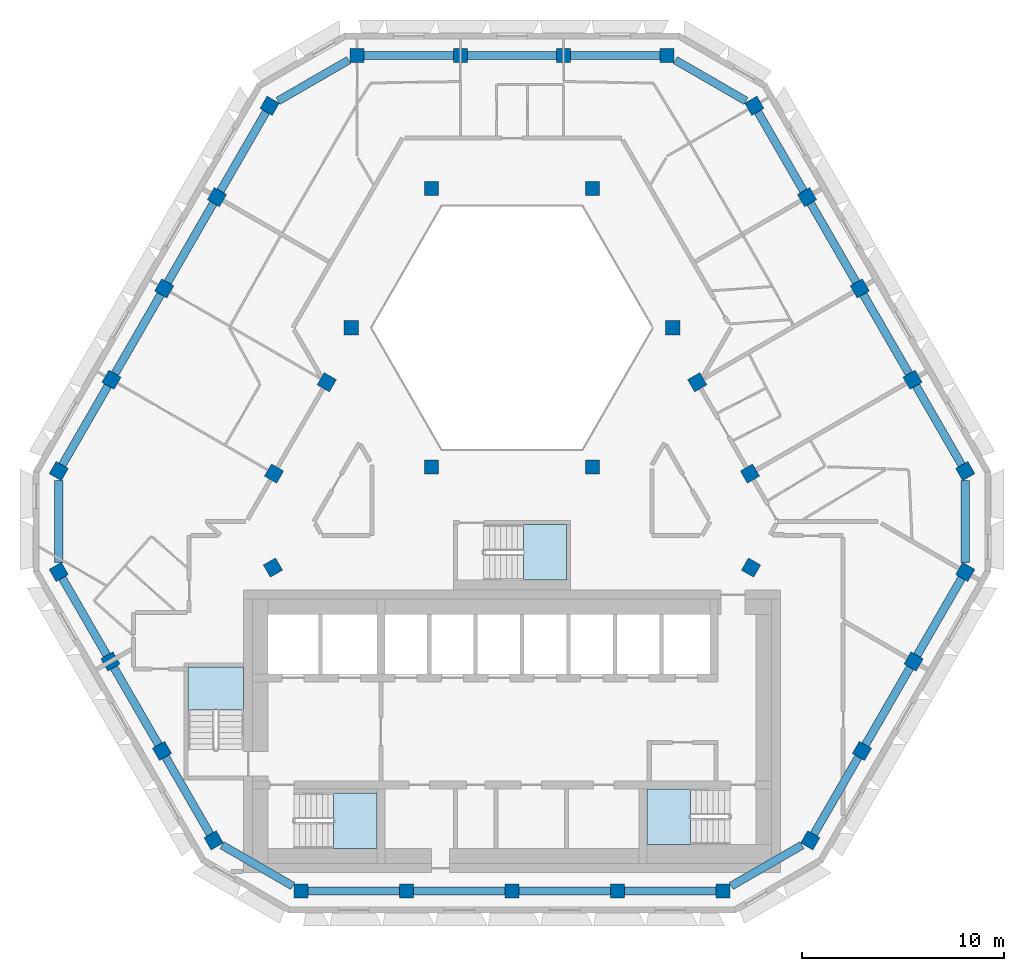
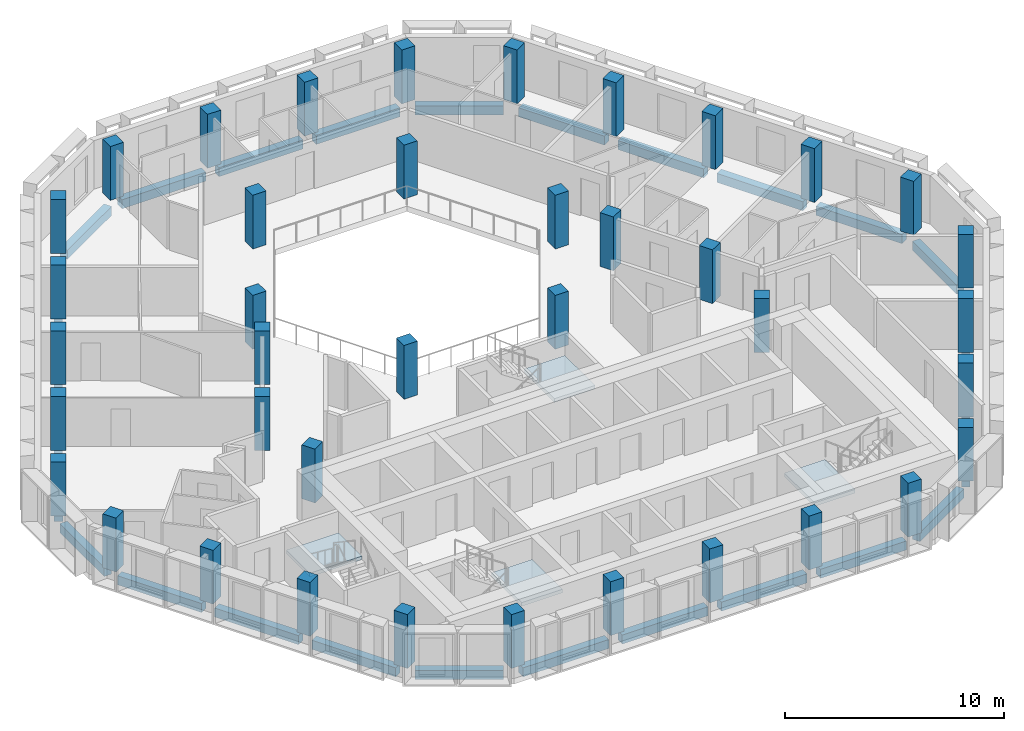
# One storey, part 1 of 14: 39 columns, 27 beams, 4 slabs, 4 elements without a shape of their own.
"""IFC4 building model written with IfcOpenShell, lengths in metres."""

from ifc_helpers import new_model, si_unit, direction, frame, origin, origin_2d, place, context, subcontext, project, spatial, polyline, rectangle, outline, extrude, material, layer, layer_set, material_profile, profile_set, type_object, element, aggregate, save


model = new_model("IFC4")

# Units and contexts
model_context = context("Model", 3, precision=1e-05, world=origin(), true_north=direction((0.0, 1.0)))
body_context = subcontext(model_context, "Body", "Model", "MODEL_VIEW")
ifc_project = project(units=[si_unit("LENGTHUNIT", "METRE"), si_unit("AREAUNIT", "SQUARE_METRE"), si_unit("VOLUMEUNIT", "CUBIC_METRE"), si_unit("PLANEANGLEUNIT", "RADIAN"), si_unit("MASSUNIT", "GRAM", prefix="KILO")], contexts=[model_context])

# Site, building, storey
site_placement = place(None, origin())
site = spatial("IfcSite", under=ifc_project, at=site_placement, CompositionType="ELEMENT")
building_placement = place(site_placement, origin())
building = spatial("IfcBuilding", under=site, at=building_placement, Name="Beryl Residences", CompositionType="ELEMENT")
storey_placement = place(building_placement, frame((0.0, 0.0, 223.800048828125)))
storey = spatial("IfcBuildingStorey", under=building, at=storey_placement, Name="L69", CompositionType="ELEMENT", Elevation=223.800048828125)

# Columns
ifc_material_1 = material(Name="Concrete C50/60", Category="concrete")
ifc_material_profile_1 = material_profile(ifc_material_1, rectangle(XDim=0.699951171875, YDim=0.699951171875, at=origin_2d()))
ifc_profile_set_1 = profile_set([ifc_material_profile_1], Name="Concrete C50/60")
column_type_1 = type_object("IfcColumnType", Name="C5 tube column 700 x 700 C50/60", PredefinedType="COLUMN", material=ifc_profile_set_1)
for number, where, z_axis, x_axis, name in (
    (1, (7.678955078125, 21.5, 0.0), (0.0, 0.0, 1.0), (-1.0, 0.0, 0.0), "C5-N1 L69"),
    (2, (2.56005859375, 21.5, 0.0), (0.0, 0.0, 1.0), (-1.0, 0.0, 0.0), "C5-N2 L69"),
    (3, (-2.55908203125, 21.5, 0.0), (0.0, 0.0, 1.0), (-1.0, 0.0, 0.0), "C5-N3 L69"),
    (4, (-7.677978515625, 21.5, 0.0), (0.0, 0.0, 1.0), (-1.0, 0.0, 0.0), "C5-N4 L69"),
    (5, (-12.009033203125, 19.0, 0.0), (0.0, 0.0, 1.0), (-0.499969769706, -0.866042856549, 0.0), "C5-NW1 L69"),
    (6, (-14.62109375, 14.47509765625, 0.0), (0.0, 0.0, 1.0), (-0.499969769706, -0.866042856549, 0.0), "C5-NW2 L69"),
    (7, (-17.23291015625, 9.949951171875, 0.0), (0.0, 0.0, 1.0), (-0.499969769706, -0.866042856549, 0.0), "C5-NW3 L69"),
    (8, (-19.845947265625, 5.425048828125, 0.0), (0.0, 0.0, 1.0), (-0.499969769706, -0.866042856549, 0.0), "C5-NW4 L69"),
    (9, (-22.4580078125, 0.89990234375, 0.0), (0.0, 0.0, 1.0), (-0.499969769706, -0.866042856549, 0.0), "C5-NW5 L69"),
    (10, (-22.458984375, -4.10009765625, 0.0), (0.0, 0.0, 1.0), (0.499984884929, -0.866034130299, 0.0), "C5-SW1 L69"),
    (11, (-19.89892578125, -8.532958984375, 0.0), (0.0, 0.0, 1.0), (0.499984884929, -0.866034130299, 0.0), "C5-SW2 L69"),
    (12, (-17.340087890625, -12.966064453125, 0.0), (0.0, 0.0, 1.0), (0.499984884929, -0.866034130299, 0.0), "C5-SW3 L69"),
    (13, (-14.781005859375, -17.39892578125, 0.0), (0.0, 0.0, 1.0), (0.499984884929, -0.866034130299, 0.0), "C5-SW4 L69"),
    (14, (-10.449951171875, -19.89990234375, 0.0), (0.0, 0.0, 1.0), (1.0, 0.0, 0.0), "C5-S1 L69"),
    (15, (-5.22509765625, -19.89990234375, 0.0), (0.0, 0.0, 1.0), (1.0, 0.0, 0.0), "C5-S2 L69"),
    (16, (0.0, -19.89990234375, 0.0), (0.0, 0.0, 1.0), (1.0, 0.0, 0.0), "C5-S3 L69"),
    (17, (5.22509765625, -19.89990234375, 0.0), (0.0, 0.0, 1.0), (1.0, 0.0, 0.0), "C5-S4 L69"),
    (18, (10.449951171875, -19.89990234375, 0.0), (0.0, 0.0, 1.0), (1.0, 0.0, 0.0), "C5-S5 L69"),
    (19, (14.780029296875, -17.39990234375, 0.0), (0.0, 0.0, 1.0), (0.499984884929, 0.866034130299, 0.0), "C5-SE1 L69"),
    (20, (17.339111328125, -12.967041015625, 0.0), (0.0, 0.0, 1.0), (0.499984884929, 0.866034130299, 0.0), "C5-SE2 L69"),
    (21, (19.89892578125, -8.533935546875, 0.0), (0.0, 0.0, 1.0), (0.499984884929, 0.866034130299, 0.0), "C5-SE3 L69"),
    (22, (22.4580078125, -4.10107421875, 0.0), (0.0, 0.0, 1.0), (0.499984884929, 0.866034130299, 0.0), "C5-SE4 L69"),
    (23, (22.4580078125, 0.89990234375, 0.0), (0.0, 0.0, 1.0), (-0.499969769706, 0.866042856549, 0.0), "C5-NE1 L69"),
    (24, (19.845947265625, 5.425048828125, 0.0), (0.0, 0.0, 1.0), (-0.499969769706, 0.866042856549, 0.0), "C5-NE2 L69"),
    (25, (17.23291015625, 9.949951171875, 0.0), (0.0, 0.0, 1.0), (-0.499969769706, 0.866042856549, 0.0), "C5-NE3 L69"),
    (26, (14.62109375, 14.47509765625, 0.0), (0.0, 0.0, 1.0), (-0.499969769706, 0.866042856549, 0.0), "C5-NE4 L69"),
    (27, (12.009033203125, 19.0, 0.0), (0.0, 0.0, 1.0), (-0.499969769706, 0.866042856549, 0.0), "C5-NE5 L69"),
):
    element("IfcColumn", number, at=place(storey_placement, frame(where, z_axis=z_axis, x_axis=x_axis)), inside=storey, type_object=column_type_1, Name=name, PredefinedType="COLUMN", context=body_context, shape_type="SweptSolid", body=[
        extrude(rectangle(XDim=0.699951171875, YDim=0.699951171875, at=origin_2d()), origin(), (0.0, 0.0, 1.0), 3.0),
    ])
ifc_material_2 = material(Name="Concrete C50/60", Category="concrete")
ifc_material_profile_2 = material_profile(ifc_material_2, rectangle(XDim=0.699951171875, YDim=0.699951171875, at=origin_2d()))
ifc_profile_set_2 = profile_set([ifc_material_profile_2], Name="Concrete C50/60")
column_type_2 = type_object("IfcColumnType", Name="IC5 interior column 700 x 700 C50/60", PredefinedType="COLUMN", material=ifc_profile_set_2)
for number, where, z_axis, x_axis, name in (
    (28, (-11.844970703125, -3.883056640625, 0.0), (0.0, 0.0, 1.0), (0.499984884929, -0.866034130299, 0.0), "IC5-M01 L69"),
    (29, (11.844970703125, -3.884033203125, 0.0), (0.0, 0.0, 1.0), (0.499984884929, 0.866034130299, 0.0), "IC5-M02 L69"),
    (30, (11.7919921875, 0.77490234375, 0.0), (0.0, 0.0, 1.0), (-0.499969769706, 0.866042856549, 0.0), "IC5-M03 L69"),
    (31, (3.98388671875, 1.10009765625, 0.0), (0.0, 0.0, 1.0), (1.0, 0.0, 0.0), "IC5-A04 L69"),
    (32, (9.178955078125, 5.300048828125, 0.0), (0.0, 0.0, 1.0), (-0.499969769706, 0.866042856549, 0.0), "IC5-M05 L69"),
    (33, (7.967041015625, 8.0, 0.0), (0.0, 0.0, 1.0), (1.0, 0.0, 0.0), "IC5-A06 L69"),
    (34, (3.98388671875, 14.89990234375, 0.0), (0.0, 0.0, 1.0), (1.0, 0.0, 0.0), "IC5-A07 L69"),
    (35, (-3.98388671875, 14.89990234375, 0.0), (0.0, 0.0, 1.0), (1.0, 0.0, 0.0), "IC5-A08 L69"),
    (36, (-7.967041015625, 8.0, 0.0), (0.0, 0.0, 1.0), (1.0, 0.0, 0.0), "IC5-A09 L69"),
    (37, (-9.178955078125, 5.300048828125, 0.0), (0.0, 0.0, 1.0), (-0.499969769706, -0.866042856549, 0.0), "IC5-M10 L69"),
    (38, (-3.98388671875, 1.10009765625, 0.0), (0.0, 0.0, 1.0), (1.0, 0.0, 0.0), "IC5-A11 L69"),
    (39, (-11.7919921875, 0.77490234375, 0.0), (0.0, 0.0, 1.0), (-0.499969769706, -0.866042856549, 0.0), "IC5-M12 L69"),
):
    element("IfcColumn", number, at=place(storey_placement, frame(where, z_axis=z_axis, x_axis=x_axis)), inside=storey, type_object=column_type_2, Name=name, PredefinedType="COLUMN", context=body_context, shape_type="SweptSolid", body=[
        extrude(rectangle(XDim=0.699951171875, YDim=0.699951171875, at=origin_2d()), origin(), (0.0, 0.0, 1.0), 3.0),
    ])

# Beams
ifc_material_3 = material(Name="Concrete C50/60", Category="concrete")
ifc_material_profile_3 = material_profile(ifc_material_3, rectangle(XDim=0.39990234375, YDim=0.5, at=origin_2d()))
ifc_profile_set_3 = profile_set([ifc_material_profile_3], Name="Concrete C50/60")
beam_type = type_object("IfcBeamType", Name="SB5 spandrel beam 400 x 500 C50/60", PredefinedType="SPANDREL", material=ifc_profile_set_3)
beam_1_placement = place(storey_placement, frame((7.3291015625, 21.5, -0.550048828125), z_axis=(-1.0, 0.0, 0.0), x_axis=(0.0, -1.0, 0.0)))
element("IfcBeam", 40, at=beam_1_placement, inside=storey, type_object=beam_type, Name="SB5 L69 N-0", PredefinedType="SPANDREL", context=body_context, shape_type="SweptSolid", body=[
    extrude(rectangle(XDim=0.39990234375, YDim=0.5, at=origin_2d()), origin(), (0.0, 0.0, 1.0), 4.419189453125),
])
for number, where, z_axis, x_axis, name in (
    (41, (2.2099609375, 21.5, -0.550048828125), (-1.0, 0.0, 0.0), (0.0, -1.0, 0.0), "SB5 L69 N-1"),
    (42, (-2.908935546875, 21.5, -0.550048828125), (-1.0, 0.0, 0.0), (0.0, -1.0, 0.0), "SB5 L69 N-2"),
):
    element("IfcBeam", number, at=place(storey_placement, frame(where, z_axis=z_axis, x_axis=x_axis)), inside=storey, type_object=beam_type, Name=name, PredefinedType="SPANDREL", context=body_context, shape_type="SweptSolid", body=[
        extrude(rectangle(XDim=0.39990234375, YDim=0.5, at=origin_2d()), origin(), (0.0, 0.0, 1.0), 4.4189453125),
    ])
beam_2_placement = place(storey_placement, frame((-8.092041015625, 21.260986328125, -0.550048828125), z_axis=(-0.866073013527, -0.499917528438, 0.0), x_axis=(0.499917528438, -0.866073013527, 0.0)))
element("IfcBeam", 43, at=beam_2_placement, inside=storey, type_object=beam_type, Name="SB5 L69 N-3", PredefinedType="SPANDREL", context=body_context, shape_type="SweptSolid", body=[
    extrude(rectangle(XDim=0.39990234375, YDim=0.5, at=origin_2d()), origin(), (0.0, 0.0, 1.0), 4.044677734375),
])
beam_3_placement = place(storey_placement, frame((-12.18408203125, 18.697021484375, -0.550048828125), z_axis=(-0.499893710643, -0.866086761277, 0.0), x_axis=(0.866086761277, -0.499893710643, 0.0)))
element("IfcBeam", 44, at=beam_3_placement, inside=storey, type_object=beam_type, Name="SB5 L69 NW-0", PredefinedType="SPANDREL", context=body_context, shape_type="SweptSolid", body=[
    extrude(rectangle(XDim=0.39990234375, YDim=0.5, at=origin_2d()), origin(), (0.0, 0.0, 1.0), 4.52490234375),
])
beam_4_placement = place(storey_placement, frame((-14.7958984375, 14.172119140625, -0.550048828125), z_axis=(-0.499910821401, -0.866076884951, 0.0), x_axis=(0.866076884951, -0.499910821401, 0.0)))
element("IfcBeam", 45, at=beam_4_placement, inside=storey, type_object=beam_type, Name="SB5 L69 NW-1", PredefinedType="SPANDREL", context=body_context, shape_type="SweptSolid", body=[
    extrude(rectangle(XDim=0.39990234375, YDim=0.5, at=origin_2d()), origin(), (0.0, 0.0, 1.0), 4.525146484375),
])
beam_5_placement = place(storey_placement, frame((-17.407958984375, 9.64697265625, -0.550048828125), z_axis=(-0.500055572588, -0.865993316558, 0.0), x_axis=(0.865993316558, -0.500055572588, 0.0)))
element("IfcBeam", 46, at=beam_5_placement, inside=storey, type_object=beam_type, Name="SB5 L69 NW-2", PredefinedType="SPANDREL", context=body_context, shape_type="SweptSolid", body=[
    extrude(rectangle(XDim=0.39990234375, YDim=0.5, at=origin_2d()), origin(), (0.0, 0.0, 1.0), 4.525390625),
])
beam_6_placement = place(storey_placement, frame((-20.02099609375, 5.1220703125, -0.550048828125), z_axis=(-0.499870351634, -0.866100243365, 0.0), x_axis=(0.866100243365, -0.499870351634, 0.0)))
element("IfcBeam", 47, at=beam_6_placement, inside=storey, type_object=beam_type, Name="SB5 L69 NW-3", PredefinedType="SPANDREL", context=body_context, shape_type="SweptSolid", body=[
    extrude(rectangle(XDim=0.39990234375, YDim=0.5, at=origin_2d()), origin(), (0.0, 0.0, 1.0), 4.525146484375),
])
beam_7_placement = place(storey_placement, frame((-22.4580078125, 0.422119140625, -0.550048828125), z_axis=(-0.000241472978, -0.999999970845, 0.0), x_axis=(0.999999970845, -0.000241472978, 0.0)))
element("IfcBeam", 48, at=beam_7_placement, inside=storey, type_object=beam_type, Name="SB5 L69 NW-4", PredefinedType="SPANDREL", context=body_context, shape_type="SweptSolid", body=[
    extrude(rectangle(XDim=0.39990234375, YDim=0.5, at=origin_2d()), origin(), (0.0, 0.0, 1.0), 4.044189453125),
])
beam_8_placement = place(storey_placement, frame((-22.283935546875, -4.403076171875, -0.550048828125), z_axis=(0.500084296963, -0.86597672944, 0.0), x_axis=(0.86597672944, 0.500084296963, 0.0)))
element("IfcBeam", 49, at=beam_8_placement, inside=storey, type_object=beam_type, Name="SB5 L69 SW-0", PredefinedType="SPANDREL", context=body_context, shape_type="SweptSolid", body=[
    extrude(rectangle(XDim=0.39990234375, YDim=0.5, at=origin_2d()), origin(), (0.0, 0.0, 1.0), 4.419189453125),
])
beam_9_placement = place(storey_placement, frame((-19.72412109375, -8.8359375, -0.550048828125), z_axis=(0.49993607075, -0.866062310208, 0.0), x_axis=(0.866062310208, 0.49993607075, 0.0)))
element("IfcBeam", 50, at=beam_9_placement, inside=storey, type_object=beam_type, Name="SB5 L69 SW-1", PredefinedType="SPANDREL", context=body_context, shape_type="SweptSolid", body=[
    extrude(rectangle(XDim=0.39990234375, YDim=0.5, at=origin_2d()), origin(), (0.0, 0.0, 1.0), 4.4189453125),
])
beam_10_placement = place(storey_placement, frame((-17.1650390625, -13.26904296875, -0.550048828125), z_axis=(0.499918550948, -0.86607242331, 0.0), x_axis=(0.86607242331, 0.499918550948, 0.0)))
element("IfcBeam", 51, at=beam_10_placement, inside=storey, type_object=beam_type, Name="SB5 L69 SW-2", PredefinedType="SPANDREL", context=body_context, shape_type="SweptSolid", body=[
    extrude(rectangle(XDim=0.39990234375, YDim=0.5, at=origin_2d()), origin(), (0.0, 0.0, 1.0), 4.418701171875),
])
beam_11_placement = place(storey_placement, frame((-14.366943359375, -17.637939453125, -0.550048828125), z_axis=(0.865968468779, -0.500098601359, 0.0), x_axis=(0.500098601359, 0.865968468779, 0.0)))
element("IfcBeam", 52, at=beam_11_placement, inside=storey, type_object=beam_type, Name="SB5 L69 SW-3", PredefinedType="SPANDREL", context=body_context, shape_type="SweptSolid", body=[
    extrude(rectangle(XDim=0.39990234375, YDim=0.5, at=origin_2d()), origin(), (0.0, 0.0, 1.0), 4.045166015625),
])
beam_12_placement = place(storey_placement, frame((-10.10009765625, -19.89990234375, -0.550048828125), z_axis=(1.0, 0.0, 0.0), x_axis=(0.0, 1.0, 0.0)))
element("IfcBeam", 53, at=beam_12_placement, inside=storey, type_object=beam_type, Name="SB5 L69 S-0", PredefinedType="SPANDREL", context=body_context, shape_type="SweptSolid", body=[
    extrude(rectangle(XDim=0.39990234375, YDim=0.5, at=origin_2d()), origin(), (0.0, 0.0, 1.0), 4.525146484375),
])
for number, where, z_axis, x_axis, name in (
    (54, (-4.875, -19.89990234375, -0.550048828125), (1.0, 0.0, 0.0), (0.0, 1.0, 0.0), "SB5 L69 S-1"),
    (55, (0.35009765625, -19.89990234375, -0.550048828125), (1.0, 0.0, 0.0), (0.0, 1.0, 0.0), "SB5 L69 S-2"),
):
    element("IfcBeam", number, at=place(storey_placement, frame(where, z_axis=z_axis, x_axis=x_axis)), inside=storey, type_object=beam_type, Name=name, PredefinedType="SPANDREL", context=body_context, shape_type="SweptSolid", body=[
        extrude(rectangle(XDim=0.39990234375, YDim=0.5, at=origin_2d()), origin(), (0.0, 0.0, 1.0), 4.52490234375),
    ])
beam_13_placement = place(storey_placement, frame((5.574951171875, -19.89990234375, -0.550048828125), z_axis=(1.0, 0.0, 0.0), x_axis=(0.0, 1.0, 0.0)))
element("IfcBeam", 56, at=beam_13_placement, inside=storey, type_object=beam_type, Name="SB5 L69 S-3", PredefinedType="SPANDREL", context=body_context, shape_type="SweptSolid", body=[
    extrude(rectangle(XDim=0.39990234375, YDim=0.5, at=origin_2d()), origin(), (0.0, 0.0, 1.0), 4.525146484375),
])
beam_14_placement = place(storey_placement, frame((10.864013671875, -19.660888671875, -0.550048828125), z_axis=(0.866012652573, 0.500022085096, 0.0), x_axis=(-0.500022085096, 0.866012652573, 0.0)))
element("IfcBeam", 57, at=beam_14_placement, inside=storey, type_object=beam_type, Name="SB5 L69 S-4", PredefinedType="SPANDREL", context=body_context, shape_type="SweptSolid", body=[
    extrude(rectangle(XDim=0.39990234375, YDim=0.5, at=origin_2d()), origin(), (0.0, 0.0, 1.0), 4.043701171875),
])
beam_15_placement = place(storey_placement, frame((14.955078125, -17.096923828125, -0.550048828125), z_axis=(0.499918550948, 0.86607242331, 0.0), x_axis=(-0.86607242331, 0.499918550948, 0.0)))
element("IfcBeam", 58, at=beam_15_placement, inside=storey, type_object=beam_type, Name="SB5 L69 SE-0", PredefinedType="SPANDREL", context=body_context, shape_type="SweptSolid", body=[
    extrude(rectangle(XDim=0.39990234375, YDim=0.5, at=origin_2d()), origin(), (0.0, 0.0, 1.0), 4.418701171875),
])
beam_16_placement = place(storey_placement, frame((17.513916015625, -12.6640625, -0.550048828125), z_axis=(0.500101800387, 0.865966621326, 0.0), x_axis=(-0.865966621326, 0.500101800387, 0.0)))
element("IfcBeam", 59, at=beam_16_placement, inside=storey, type_object=beam_type, Name="SB5 L69 SE-1", PredefinedType="SPANDREL", context=body_context, shape_type="SweptSolid", body=[
    extrude(rectangle(XDim=0.39990234375, YDim=0.5, at=origin_2d()), origin(), (0.0, 0.0, 1.0), 4.41943359375),
])
beam_17_placement = place(storey_placement, frame((20.073974609375, -8.23095703125, -0.550048828125), z_axis=(0.499918550948, 0.86607242331, 0.0), x_axis=(-0.86607242331, 0.499918550948, 0.0)))
element("IfcBeam", 60, at=beam_17_placement, inside=storey, type_object=beam_type, Name="SB5 L69 SE-2", PredefinedType="SPANDREL", context=body_context, shape_type="SweptSolid", body=[
    extrude(rectangle(XDim=0.39990234375, YDim=0.5, at=origin_2d()), origin(), (0.0, 0.0, 1.0), 4.418701171875),
])
beam_18_placement = place(storey_placement, frame((22.4580078125, -3.623046875, -0.550048828125), z_axis=(0.0, 1.0, 0.0), x_axis=(-1.0, 0.0, 0.0)))
element("IfcBeam", 61, at=beam_18_placement, inside=storey, type_object=beam_type, Name="SB5 L69 SE-3", PredefinedType="SPANDREL", context=body_context, shape_type="SweptSolid", body=[
    extrude(rectangle(XDim=0.39990234375, YDim=0.5, at=origin_2d()), origin(), (0.0, 0.0, 1.0), 4.045166015625),
])
beam_19_placement = place(storey_placement, frame((22.282958984375, 1.202880859375, -0.550048828125), z_axis=(-0.499870351634, 0.866100243365, 0.0), x_axis=(-0.866100243365, -0.499870351634, 0.0)))
element("IfcBeam", 62, at=beam_19_placement, inside=storey, type_object=beam_type, Name="SB5 L69 NE-0", PredefinedType="SPANDREL", context=body_context, shape_type="SweptSolid", body=[
    extrude(rectangle(XDim=0.39990234375, YDim=0.5, at=origin_2d()), origin(), (0.0, 0.0, 1.0), 4.525146484375),
])
beam_20_placement = place(storey_placement, frame((19.6708984375, 5.72802734375, -0.550048828125), z_axis=(-0.500055572588, 0.865993316558, 0.0), x_axis=(-0.865993316558, -0.500055572588, 0.0)))
element("IfcBeam", 63, at=beam_20_placement, inside=storey, type_object=beam_type, Name="SB5 L69 NE-1", PredefinedType="SPANDREL", context=body_context, shape_type="SweptSolid", body=[
    extrude(rectangle(XDim=0.39990234375, YDim=0.5, at=origin_2d()), origin(), (0.0, 0.0, 1.0), 4.525390625),
])
beam_21_placement = place(storey_placement, frame((17.05810546875, 10.2529296875, -0.550048828125), z_axis=(-0.499910821401, 0.866076884951, 0.0), x_axis=(-0.866076884951, -0.499910821401, 0.0)))
element("IfcBeam", 64, at=beam_21_placement, inside=storey, type_object=beam_type, Name="SB5 L69 NE-2", PredefinedType="SPANDREL", context=body_context, shape_type="SweptSolid", body=[
    extrude(rectangle(XDim=0.39990234375, YDim=0.5, at=origin_2d()), origin(), (0.0, 0.0, 1.0), 4.525146484375),
])
beam_22_placement = place(storey_placement, frame((14.446044921875, 14.778076171875, -0.550048828125), z_axis=(-0.499893710643, 0.866086761277, 0.0), x_axis=(-0.866086761277, -0.499893710643, 0.0)))
element("IfcBeam", 65, at=beam_22_placement, inside=storey, type_object=beam_type, Name="SB5 L69 NE-3", PredefinedType="SPANDREL", context=body_context, shape_type="SweptSolid", body=[
    extrude(rectangle(XDim=0.39990234375, YDim=0.5, at=origin_2d()), origin(), (0.0, 0.0, 1.0), 4.52490234375),
])
beam_23_placement = place(storey_placement, frame((11.594970703125, 19.239013671875, -0.550048828125), z_axis=(-0.866012652573, 0.500022085096, 0.0), x_axis=(-0.500022085096, -0.866012652573, 0.0)))
element("IfcBeam", 66, at=beam_23_placement, inside=storey, type_object=beam_type, Name="SB5 L69 NE-4", PredefinedType="SPANDREL", context=body_context, shape_type="SweptSolid", body=[
    extrude(rectangle(XDim=0.39990234375, YDim=0.5, at=origin_2d()), origin(), (0.0, 0.0, 1.0), 4.043701171875),
])

# Stair, slab
ifc_material_4 = material(Name="Concrete C40/50", Category="concrete")
stair_type = type_object("IfcStairType", Name="ST1 protected exit stair, half-turn, 1300 mm flights", PredefinedType="HALF_TURN_STAIR", material=ifc_material_4)
stair_1_placement = place(storey_placement, origin())
stair_1 = element("IfcStair", 67, at=stair_1_placement, inside=storey, type_object=stair_type, Name="L69 PROTECTED EXIT STAIR ST-1", PredefinedType="HALF_TURN_STAIR")
ifc_material_5 = material(Name="Concrete C40/50", Category="concrete")
ifc_layer = layer(ifc_material_5, 0.199951171875)
ifc_layer_set = layer_set([ifc_layer], Name="SLD1 stair landing 200 mm")
slab_type = type_object("IfcSlabType", Name="SLD1 stair landing 200 mm", PredefinedType="LANDING", material=ifc_layer_set)
slab_1_placement = place(storey_placement, frame((0.0, 0.0, 1.300048828125)))
slab_1 = element("IfcSlab", 68, at=slab_1_placement, type_object=slab_type, Name="ST-1 landing 1", PredefinedType="LANDING", context=body_context, shape_type="SweptSolid", body=[
    extrude(outline(polyline([(-8.840087890625, -17.800048828125), (-6.699951171875, -17.800048828125), (-6.699951171875, -15.050048828125), (-8.840087890625, -15.050048828125), (-8.840087890625, -17.800048828125)])), origin(), (0.0, 0.0, 1.0), 0.199951171875),
])
aggregate(stair_1, [slab_1])

stair_2_placement = place(storey_placement, origin())
stair_2 = element("IfcStair", 69, at=stair_2_placement, inside=storey, type_object=stair_type, Name="L69 PROTECTED EXIT STAIR ST-2", PredefinedType="HALF_TURN_STAIR")
slab_2_placement = place(storey_placement, frame((0.0, 0.0, 1.300048828125)))
slab_2 = element("IfcSlab", 70, at=slab_2_placement, type_object=slab_type, Name="ST-2 landing 1", PredefinedType="LANDING", context=body_context, shape_type="SweptSolid", body=[
    extrude(outline(polyline([(-13.300048828125, -10.93994140625), (-13.300048828125, -8.800048828125), (-16.050048828125, -8.800048828125), (-16.050048828125, -10.93994140625), (-13.300048828125, -10.93994140625)])), origin(), (0.0, 0.0, 1.0), 0.199951171875),
])
aggregate(stair_2, [slab_2])

stair_3_placement = place(storey_placement, origin())
stair_3 = element("IfcStair", 71, at=stair_3_placement, inside=storey, type_object=stair_type, Name="L69 PROTECTED EXIT STAIR ST-3", PredefinedType="HALF_TURN_STAIR")
slab_3_placement = place(storey_placement, frame((0.0, 0.0, 1.300048828125)))
slab_3 = element("IfcSlab", 72, at=slab_3_placement, type_object=slab_type, Name="ST-3 landing 1", PredefinedType="LANDING", context=body_context, shape_type="SweptSolid", body=[
    extrude(outline(polyline([(8.840087890625, -14.85009765625), (6.699951171875, -14.85009765625), (6.699951171875, -17.60009765625), (8.840087890625, -17.60009765625), (8.840087890625, -14.85009765625)])), origin(), (0.0, 0.0, 1.0), 0.199951171875),
])
aggregate(stair_3, [slab_3])

stair_4_placement = place(storey_placement, origin())
stair_4 = element("IfcStair", 73, at=stair_4_placement, inside=storey, type_object=stair_type, Name="L69 PROTECTED EXIT STAIR ST-4", PredefinedType="HALF_TURN_STAIR")
slab_4_placement = place(storey_placement, frame((0.0, 0.0, 1.300048828125)))
slab_4 = element("IfcSlab", 74, at=slab_4_placement, type_object=slab_type, Name="ST-4 landing 1", PredefinedType="LANDING", context=body_context, shape_type="SweptSolid", body=[
    extrude(outline(polyline([(0.56005859375, -4.5), (2.699951171875, -4.5), (2.699951171875, -1.75), (0.56005859375, -1.75), (0.56005859375, -4.5)])), origin(), (0.0, 0.0, 1.0), 0.199951171875),
])
aggregate(stair_4, [slab_4])

save(model, "model.ifc")
